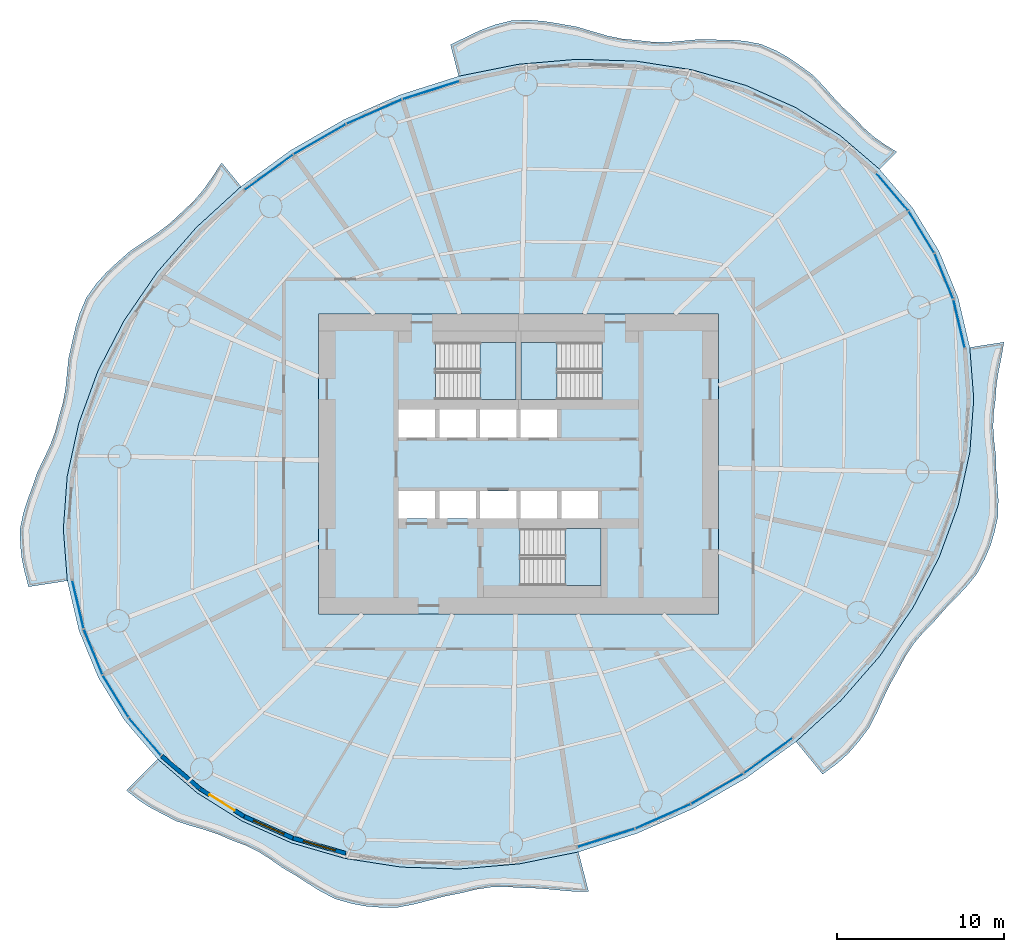
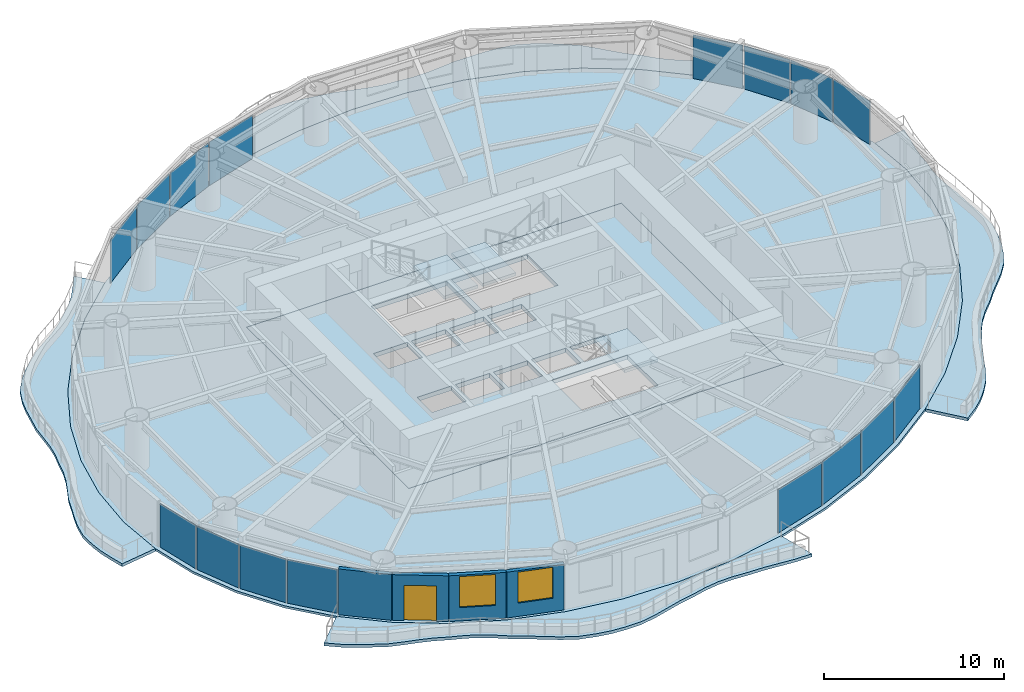
# One storey, part 7 of 14: 16 plates, 9 slabs, 4 walls, 2 windows, 1 door, 3 openings, 19 elements without a shape of their own.
"""IFC4 building model written with IfcOpenShell, lengths in metres."""

from ifc_helpers import new_model, si_unit, direction, frame, frame_2d, origin, origin_2d, place, context, subcontext, project, spatial, polyline, rectangle, outline, extrude, material, layer, layer_set, type_object, element, fill, aggregate, save


model = new_model("IFC4")

# Units and contexts
model_context = context("Model", 3, precision=1e-05, world=origin(), true_north=direction((0.0, 1.0)))
body_context = subcontext(model_context, "Body", "Model", "MODEL_VIEW")
ifc_project = project(units=[si_unit("LENGTHUNIT", "METRE"), si_unit("AREAUNIT", "SQUARE_METRE"), si_unit("VOLUMEUNIT", "CUBIC_METRE"), si_unit("PLANEANGLEUNIT", "RADIAN"), si_unit("MASSUNIT", "GRAM", prefix="KILO")], contexts=[model_context])

# Site, building, storey
site_placement = place(None, origin())
site = spatial("IfcSite", under=ifc_project, at=site_placement, CompositionType="ELEMENT")
building_placement = place(site_placement, origin())
building = spatial("IfcBuilding", under=site, at=building_placement, Name="Vermilion Reach Broadcast Tower", CompositionType="ELEMENT")
storey_placement = place(building_placement, frame((0.0, 0.0, 143.39990234375)))
storey = spatial("IfcBuildingStorey", under=building, at=storey_placement, Name="L33", CompositionType="ELEMENT", Elevation=143.39990234375)

# Slabs
ifc_material_1 = material(Name="Concrete C40/50", Category="concrete")
ifc_layer_1 = layer(ifc_material_1, 0.199951171875)
ifc_layer_set_1 = layer_set([ifc_layer_1], Name="Balcony slab 200")
slab_type_1 = type_object("IfcSlabType", Name="Balcony slab 200", PredefinedType="FLOOR", material=ifc_layer_set_1)
placement_1 = place(storey_placement, frame((0.0, 0.0, -0.199951171875)))
element("IfcSlab", 1, at=placement_1, inside=storey, type_object=slab_type_1, Name="Balcony slab L33 group 1", PredefinedType="FLOOR", context=body_context, shape_type="SweptSolid", body=[
    extrude(outline(polyline([(15.665283203125, 17.710205078125), (13.3056640625, 19.73388671875), (10.61572265625, 21.420166015625), (7.641357421875, 22.73974609375), (4.43359375, 23.67041015625), (1.04736328125, 24.19580078125), (-2.45947265625, 24.307373046875), (-6.02685546875, 24.003173828125), (-9.593994140625, 23.2880859375), (-10.08154296875, 25.176513671875), (-9.13818359375, 25.641845703125), (-8.29150390625, 26.045166015625), (-7.429443359375, 26.37255859375), (-6.401123046875, 26.630859375), (-5.35546875, 26.66357421875), (-4.45068359375, 26.587158203125), (-3.53955078125, 26.43701171875), (-2.511474609375, 26.257080078125), (-1.529296875, 25.96435546875), (-0.65966796875, 25.713623046875), (0.212158203125, 25.533447265625), (1.16357421875, 25.443359375), (2.091796875, 25.3388671875), (2.958251953125, 25.33642578125), (3.8359375, 25.40625), (4.839599609375, 25.501953125), (5.82763671875, 25.478759765625), (6.693603515625, 25.467041015625), (7.544921875, 25.404296875), (8.5458984375, 25.21826171875), (9.457275390625, 24.82666015625), (10.17041015625, 24.42822265625), (10.852294921875, 23.95947265625), (11.654296875, 23.373291015625), (12.334716796875, 22.668212890625), (12.88037109375, 22.04443359375), (13.43994140625, 21.4423828125), (14.1123046875, 20.830078125), (14.720458984375, 20.18994140625), (15.302490234375, 19.674560546875), (15.935791015625, 19.21923828125), (16.70166015625, 18.74462890625), (15.665283203125, 17.710205078125)])), origin(), (0.0, 0.0, 1.0), 0.199951171875),
])
element("IfcSlab", 2, at=placement_1, inside=storey, type_object=slab_type_1, Name="Balcony slab L33 group 2", PredefinedType="FLOOR", context=body_context, shape_type="SweptSolid", body=[
    extrude(outline(polyline([(-22.658447265625, 16.665771484375), (-25.34375, 14.211669921875), (-27.6982421875, 11.51416015625), (-29.681396484375, 8.619873046875), (-31.25927734375, 5.577880859375), (-32.405029296875, 2.440673828125), (-33.098876953125, -0.738525390625), (-33.329345703125, -3.90478515625), (-33.092041015625, -7.00439453125), (-35.42431640625, -7.365966796875), (-35.66455078125, -6.422119140625), (-35.825927734375, -5.655029296875), (-35.910888671875, -4.882080078125), (-35.931396484375, -3.909912109375), (-35.729248046875, -2.9345703125), (-35.48046875, -2.15673828125), (-35.193359375, -1.3818359375), (-34.88623046875, -0.479736328125), (-34.462158203125, 0.391845703125), (-34.111328125, 1.14794921875), (-33.82861328125, 1.918701171875), (-33.609619140625, 2.790283203125), (-33.351806640625, 3.67529296875), (-33.201904296875, 4.509521484375), (-33.1123046875, 5.36572265625), (-33.015625, 6.350341796875), (-32.793212890625, 7.3388671875), (-32.60009765625, 8.203857421875), (-32.35205078125, 9.040283203125), (-31.9541015625, 9.981201171875), (-31.3525390625, 10.828369140625), (-30.76171875, 11.48681640625), (-30.103759765625, 12.09912109375), (-29.333740234375, 12.781494140625), (-28.461181640625, 13.368408203125), (-27.685546875, 13.879638671875), (-26.9560546875, 14.4306640625), (-26.24658203125, 15.09423828125), (-25.52734375, 15.760498046875), (-24.931884765625, 16.457275390625), (-24.396484375, 17.219482421875), (-23.824951171875, 18.09228515625), (-22.658447265625, 16.665771484375)])), origin(), (0.0, 0.0, 1.0), 0.199951171875),
])
element("IfcSlab", 3, at=placement_1, inside=storey, type_object=slab_type_1, Name="Balcony slab L33 group 3", PredefinedType="FLOOR", context=body_context, shape_type="SweptSolid", body=[
    extrude(outline(polyline([(-27.665283203125, -17.710205078125), (-25.3056640625, -19.73388671875), (-22.61572265625, -21.420166015625), (-19.641357421875, -22.73974609375), (-16.43359375, -23.67041015625), (-13.04736328125, -24.19580078125), (-9.54052734375, -24.307373046875), (-5.97314453125, -24.003173828125), (-2.406005859375, -23.2880859375), (-1.79296875, -25.662841796875), (-2.861328125, -25.64404296875), (-3.806396484375, -25.557373046875), (-4.751220703125, -25.470947265625), (-5.76806640625, -25.441650390625), (-6.75439453125, -25.3759765625), (-7.650634765625, -25.400634765625), (-8.537841796875, -25.530517578125), (-9.501708984375, -25.764404296875), (-10.470458984375, -25.954345703125), (-11.35546875, -26.1865234375), (-12.240478515625, -26.4208984375), (-13.272705078125, -26.61474609375), (-14.28955078125, -26.61376953125), (-15.146484375, -26.549560546875), (-15.98876953125, -26.39013671875), (-16.9755859375, -26.11474609375), (-17.87841796875, -25.654052734375), (-18.6142578125, -25.193115234375), (-19.345458984375, -24.716796875), (-20.184326171875, -24.2275390625), (-20.951416015625, -23.6865234375), (-21.6484375, -23.251953125), (-22.37939453125, -22.893310546875), (-23.230712890625, -22.57666015625), (-24.05224609375, -22.217529296875), (-24.826904296875, -21.959228515625), (-25.621826171875, -21.73291015625), (-26.555419921875, -21.43212890625), (-27.40673828125, -20.989990234375), (-28.111328125, -20.61767578125), (-28.775390625, -20.1982421875), (-29.54638671875, -19.587890625), (-27.665283203125, -17.710205078125)])), origin(), (0.0, 0.0, 1.0), 0.199951171875),
])
element("IfcSlab", 4, at=placement_1, inside=storey, type_object=slab_type_1, Name="Balcony slab L33 group 4", PredefinedType="FLOOR", context=body_context, shape_type="SweptSolid", body=[
    extrude(outline(polyline([(10.658447265625, -16.665771484375), (13.34375, -14.211669921875), (15.6982421875, -11.51416015625), (17.681396484375, -8.619873046875), (19.25927734375, -5.577880859375), (20.405029296875, -2.440673828125), (21.098876953125, 0.738525390625), (21.329345703125, 3.90478515625), (21.092041015625, 7.00439453125), (23.14599609375, 7.32275390625), (22.982177734375, 6.369873046875), (22.81884765625, 5.577880859375), (22.69384765625, 4.788818359375), (22.635498046875, 3.907470703125), (22.51904296875, 3.0224609375), (22.492431640625, 2.228759765625), (22.544921875, 1.428955078125), (22.655517578125, 0.51318359375), (22.680908203125, -0.439453125), (22.74853515625, -1.286865234375), (22.804931640625, -2.1318359375), (22.785400390625, -3.1318359375), (22.56494140625, -4.118408203125), (22.3212890625, -4.91845703125), (21.9912109375, -5.686767578125), (21.526123046875, -6.574951171875), (20.875244140625, -7.38134765625), (20.2587890625, -8.026611328125), (19.63427734375, -8.66796875), (18.99072265625, -9.404052734375), (18.296875, -10.10498046875), (17.727294921875, -10.778076171875), (17.24072265625, -11.5078125), (16.78955078125, -12.35986328125), (16.296142578125, -13.224365234375), (15.8984375, -14.065185546875), (15.514404296875, -14.918212890625), (15.0263671875, -15.856201171875), (14.38623046875, -16.7001953125), (13.781982421875, -17.387451171875), (13.10546875, -17.9951171875), (12.25537109375, -18.6181640625), (10.658447265625, -16.665771484375)])), origin(), (0.0, 0.0, 1.0), 0.199951171875),
])
ifc_material_2 = material(Name="Concrete C40", Category="concrete")
ifc_layer_2 = layer(ifc_material_2, 0.300048828125)
ifc_layer_set_2 = layer_set([ifc_layer_2], Name="Core floor slab 300 mm Concrete C40")
slab_type_2 = type_object("IfcSlabType", Name="Core floor slab 300 mm Concrete C40", PredefinedType="FLOOR", material=ifc_layer_set_2)
slab_5_placement = place(storey_placement, frame((0.0, 0.0, -0.2998046875)))
element("IfcSlab", 5, at=slab_5_placement, inside=storey, type_object=slab_type_2, Name="L33 core floor", PredefinedType="FLOOR", context=body_context, shape_type="SweptSolid", body=[
    extrude(outline(polyline([(-18.0, -9.0), (6.0, -9.0), (6.0, 9.0), (-18.0, 9.0), (-18.0, -9.0)]), holes=[polyline([(-13.199951171875, 1.60009765625), (-11.00830078125, 1.60009765625), (-11.00830078125, 3.280029296875), (-13.199951171875, 3.280029296875), (-13.199951171875, 1.60009765625)]), polyline([(-10.75830078125, 1.60009765625), (-8.566650390625, 1.60009765625), (-8.566650390625, 3.280029296875), (-10.75830078125, 3.280029296875), (-10.75830078125, 1.60009765625)]), polyline([(-8.316650390625, 1.60009765625), (-6.125, 1.60009765625), (-6.125, 3.280029296875), (-8.316650390625, 3.280029296875), (-8.316650390625, 1.60009765625)]), polyline([(-5.875, 1.60009765625), (-3.683349609375, 1.60009765625), (-3.683349609375, 3.280029296875), (-5.875, 3.280029296875), (-5.875, 1.60009765625)]), polyline([(-13.199951171875, -3.280029296875), (-11.00830078125, -3.280029296875), (-11.00830078125, -1.60009765625), (-13.199951171875, -1.60009765625), (-13.199951171875, -3.280029296875)]), polyline([(-10.75830078125, -3.280029296875), (-8.566650390625, -3.280029296875), (-8.566650390625, -1.60009765625), (-10.75830078125, -1.60009765625), (-10.75830078125, -3.280029296875)]), polyline([(-8.316650390625, -3.280029296875), (-6.125, -3.280029296875), (-6.125, -1.60009765625), (-8.316650390625, -1.60009765625), (-8.316650390625, -3.280029296875)]), polyline([(-5.875, -3.280029296875), (-3.683349609375, -3.280029296875), (-3.683349609375, -1.60009765625), (-5.875, -1.60009765625), (-5.875, -3.280029296875)]), polyline([(-3.433349609375, -3.280029296875), (-1.24169921875, -3.280029296875), (-1.24169921875, -1.60009765625), (-3.433349609375, -1.60009765625), (-3.433349609375, -3.280029296875)]), polyline([(-10.999267578125, 3.8798828125), (-6.14990234375, 3.8798828125), (-6.14990234375, 7.300048828125), (-10.999267578125, 7.300048828125), (-10.999267578125, 3.8798828125)]), polyline([(-1.000732421875, 7.300048828125), (-5.85009765625, 7.300048828125), (-5.85009765625, 3.8798828125), (-1.000732421875, 3.8798828125), (-1.000732421875, 7.300048828125)]), polyline([(-5.8994140625, -7.300048828125), (-1.050048828125, -7.300048828125), (-1.050048828125, -3.8798828125), (-5.8994140625, -3.8798828125), (-5.8994140625, -7.300048828125)])]), origin(), (0.0, 0.0, 1.0), 0.2998046875),
])

# Stair, slab
ifc_material_3 = material(Name="Concrete C40", Category="concrete")
stair_type = type_object("IfcStairType", Name="Exit stair RC 22 risers 164 mm", PredefinedType="HALF_TURN_STAIR", material=ifc_material_3)
placement_2 = place(storey_placement, origin())
stair_1 = element("IfcStair", 6, at=placement_2, inside=storey, type_object=stair_type, Name="L33 Exit stair ST1", PredefinedType="HALF_TURN_STAIR")
ifc_material_4 = material(Name="Concrete C40", Category="concrete")
ifc_layer_3 = layer(ifc_material_4, 0.199951171875)
ifc_layer_set_3 = layer_set([ifc_layer_3], Name="Exit stair landing Concrete C40")
slab_type_3 = type_object("IfcSlabType", Name="Exit stair landing Concrete C40", PredefinedType="LANDING", material=ifc_layer_set_3)
placement_3 = place(storey_placement, frame((0.0, 0.0, 1.60009765625)))
slab_6 = element("IfcSlab", 7, at=placement_3, type_object=slab_type_3, Name="ST1 landing 1", PredefinedType="LANDING", context=body_context, shape_type="SweptSolid", body=[
    extrude(outline(polyline([(-8.300048828125, 3.8798828125), (-6.14990234375, 3.8798828125), (-6.14990234375, 7.300048828125), (-8.300048828125, 7.300048828125), (-8.300048828125, 3.8798828125)])), origin(), (0.0, 0.0, 1.0), 0.199951171875),
])
aggregate(stair_1, [slab_6])

stair_2 = element("IfcStair", 8, at=placement_2, inside=storey, type_object=stair_type, Name="L33 Exit stair ST2", PredefinedType="HALF_TURN_STAIR")
slab_7 = element("IfcSlab", 9, at=placement_3, type_object=slab_type_3, Name="ST2 landing 1", PredefinedType="LANDING", context=body_context, shape_type="SweptSolid", body=[
    extrude(outline(polyline([(-3.699951171875, 7.300048828125), (-5.85009765625, 7.300048828125), (-5.85009765625, 3.8798828125), (-3.699951171875, 3.8798828125), (-3.699951171875, 7.300048828125)])), origin(), (0.0, 0.0, 1.0), 0.199951171875),
])
aggregate(stair_2, [slab_7])

stair_3 = element("IfcStair", 10, at=placement_2, inside=storey, type_object=stair_type, Name="L33 Exit stair ST3", PredefinedType="HALF_TURN_STAIR")
slab_8 = element("IfcSlab", 11, at=placement_3, type_object=slab_type_3, Name="ST3 landing 1", PredefinedType="LANDING", context=body_context, shape_type="SweptSolid", body=[
    extrude(outline(polyline([(-3.199951171875, -7.300048828125), (-1.050048828125, -7.300048828125), (-1.050048828125, -3.8798828125), (-3.199951171875, -3.8798828125), (-3.199951171875, -7.300048828125)])), origin(), (0.0, 0.0, 1.0), 0.199951171875),
])
aggregate(stair_3, [slab_8])

# Slab
ifc_material_5 = material(Name="Concrete C40", Category="concrete")
ifc_layer_4 = layer(ifc_material_5, 0.14990234375)
ifc_layer_set_4 = layer_set([ifc_layer_4], Name="Floor slab Concrete C40 composite 150")
slab_type_4 = type_object("IfcSlabType", Name="Floor slab Concrete C40 composite 150", PredefinedType="FLOOR", material=ifc_layer_set_4)
slab_9_placement = place(storey_placement, frame((0.0, 0.0, -0.14990234375)))
element("IfcSlab", 12, at=slab_9_placement, inside=storey, type_object=slab_type_4, Name="Floor slab L33", PredefinedType="FLOOR", context=body_context, shape_type="SweptSolid", body=[
    extrude(outline(polyline([(19.238525390625, 12.793212890625), (17.654296875, 15.38330078125), (15.665283203125, 17.710205078125), (13.3056640625, 19.73388671875), (10.61572265625, 21.420166015625), (7.641357421875, 22.73974609375), (4.43359375, 23.67041015625), (1.04736328125, 24.19580078125), (-2.45947265625, 24.307373046875), (-6.02685546875, 24.003173828125), (-9.593994140625, 23.2880859375), (-13.099365234375, 22.174560546875), (-16.4833984375, 20.681640625), (-19.68798828125, 18.8349609375), (-22.658447265625, 16.665771484375), (-25.34375, 14.211669921875), (-27.6982421875, 11.51416015625), (-29.681396484375, 8.619873046875), (-31.25927734375, 5.577880859375), (-32.405029296875, 2.440673828125), (-33.098876953125, -0.738525390625), (-33.329345703125, -3.90478515625), (-33.092041015625, -7.00439453125), (-32.39111328125, -9.984375), (-31.238525390625, -12.793212890625), (-29.654296875, -15.38330078125), (-27.665283203125, -17.710205078125), (-25.3056640625, -19.73388671875), (-22.61572265625, -21.420166015625), (-19.641357421875, -22.73974609375), (-16.43359375, -23.67041015625), (-13.04736328125, -24.19580078125), (-9.54052734375, -24.307373046875), (-5.97314453125, -24.003173828125), (-2.406005859375, -23.2880859375), (1.099365234375, -22.174560546875), (4.4833984375, -20.681640625), (7.68798828125, -18.8349609375), (10.658447265625, -16.665771484375), (13.34375, -14.211669921875), (15.6982421875, -11.51416015625), (17.681396484375, -8.619873046875), (19.25927734375, -5.577880859375), (20.405029296875, -2.440673828125), (21.098876953125, 0.738525390625), (21.329345703125, 3.90478515625), (21.092041015625, 7.00439453125), (20.39111328125, 9.984375), (19.238525390625, 12.793212890625)]), holes=[polyline([(-18.0, -9.0), (6.0, -9.0), (6.0, 9.0), (-18.0, 9.0), (-18.0, -9.0)])]), origin(), (0.0, 0.0, 1.0), 0.14990234375),
])

# Curtain wall, plate
ifc_material_6 = material(Name="Low-e laminated clear glass in aluminium frame", Category="aluminium")
curtain_wall_type = type_object("IfcCurtainWallType", Name="Slot curtain wall", PredefinedType="NOTDEFINED", material=ifc_material_6)
curtain_wall_1 = element("IfcCurtainWall", 13, at=placement_2, inside=storey, type_object=curtain_wall_type, Name="Slot curtain wall L33 46", PredefinedType="NOTDEFINED")
ifc_material_7 = material(Name="Low-e laminated clear glass", Category="glass")
ifc_layer_5 = layer(ifc_material_7, 0.028076171875)
ifc_layer_set_5 = layer_set([ifc_layer_5], Name="Slot glass panel")
plate_type = type_object("IfcPlateType", Name="Slot glass panel", PredefinedType="CURTAIN_PANEL", material=ifc_layer_set_5)
plate_1_placement = place(storey_placement, frame((20.450439453125, 8.42578125, 0.0), z_axis=(0.0, 0.0, 1.0), x_axis=(-0.228953492129, 0.973437362362, 0.0)))
plate_1 = element("IfcPlate", 14, at=plate_1_placement, type_object=plate_type, Name="Slot glass panel L33 46", PredefinedType="CURTAIN_PANEL", context=body_context, shape_type="SweptSolid", body=[
    extrude(rectangle(XDim=2.93408203125, YDim=0.028076171875, at=origin_2d()), origin(), (0.0, 0.0, 1.0), 2.949951171875),
])
aggregate(curtain_wall_1, [plate_1])

curtain_wall_2 = element("IfcCurtainWall", 15, at=placement_2, inside=storey, type_object=curtain_wall_type, Name="Slot curtain wall L33 47", PredefinedType="NOTDEFINED")
plate_2_placement = place(storey_placement, frame((19.5380859375, 11.275146484375, 0.0), z_axis=(0.0, 0.0, 1.0), x_axis=(-0.379565315987, 0.925164942537, 0.0)))
plate_2 = element("IfcPlate", 16, at=plate_2_placement, type_object=plate_type, Name="Slot glass panel L33 47", PredefinedType="CURTAIN_PANEL", context=body_context, shape_type="SweptSolid", body=[
    extrude(rectangle(XDim=2.908447265625, YDim=0.028076171875, at=origin_2d()), origin(), (0.0, 0.0, 1.0), 2.949951171875),
])
aggregate(curtain_wall_2, [plate_2])

curtain_wall_3 = element("IfcCurtainWall", 17, at=placement_2, inside=storey, type_object=curtain_wall_type, Name="Slot curtain wall L33 00", PredefinedType="NOTDEFINED")
plate_3_placement = place(storey_placement, frame((18.19140625, 13.93212890625, 0.0), z_axis=(0.0, 0.0, 1.0), x_axis=(-0.521802561962, 0.853066284839, 0.0)))
plate_3 = element("IfcPlate", 18, at=plate_3_placement, type_object=plate_type, Name="Slot glass panel L33 00", PredefinedType="CURTAIN_PANEL", context=body_context, shape_type="SweptSolid", body=[
    extrude(rectangle(XDim=2.908447265625, YDim=0.028076171875, at=origin_2d()), origin(), (0.0, 0.0, 1.0), 2.949951171875),
])
aggregate(curtain_wall_3, [plate_3])

curtain_wall_4 = element("IfcCurtainWall", 19, at=placement_2, inside=storey, type_object=curtain_wall_type, Name="Slot curtain wall L33 01", PredefinedType="NOTDEFINED")
plate_4_placement = place(storey_placement, frame((16.432373046875, 16.3525390625, 0.0), z_axis=(0.0, 0.0, 1.0), x_axis=(-0.649773441281, 0.760127933315, 0.0)))
plate_4 = element("IfcPlate", 20, at=plate_4_placement, type_object=plate_type, Name="Slot glass panel L33 01", PredefinedType="CURTAIN_PANEL", context=body_context, shape_type="SweptSolid", body=[
    extrude(rectangle(XDim=2.93408203125, YDim=0.028076171875, at=origin_2d()), origin(), (0.0, 0.0, 1.0), 2.949951171875),
])
aggregate(curtain_wall_4, [plate_4])

curtain_wall_5 = element("IfcCurtainWall", 21, at=placement_2, inside=storey, type_object=curtain_wall_type, Name="Slot curtain wall L33 10", PredefinedType="NOTDEFINED")
plate_5_placement = place(storey_placement, frame((-11.256103515625, 22.44580078125, 0.0), z_axis=(0.0, 0.0, 1.0), x_axis=(-0.953072129189, -0.302743317949, 0.0)))
plate_5 = element("IfcPlate", 22, at=plate_5_placement, type_object=plate_type, Name="Slot glass panel L33 10", PredefinedType="CURTAIN_PANEL", context=body_context, shape_type="SweptSolid", body=[
    extrude(rectangle(XDim=3.5654296875, YDim=0.028076171875, at=origin_2d()), origin(), (0.0, 0.0, 1.0), 2.949951171875),
])
aggregate(curtain_wall_5, [plate_5])

curtain_wall_6 = element("IfcCurtainWall", 23, at=placement_2, inside=storey, type_object=curtain_wall_type, Name="Slot curtain wall L33 11", PredefinedType="NOTDEFINED")
plate_6_placement = place(storey_placement, frame((-14.67041015625, 21.154052734375, 0.0), z_axis=(0.0, 0.0, 1.0), x_axis=(-0.914919638286, -0.403636043334, 0.0)))
plate_6 = element("IfcPlate", 24, at=plate_6_placement, type_object=plate_type, Name="Slot glass panel L33 11", PredefinedType="CURTAIN_PANEL", context=body_context, shape_type="SweptSolid", body=[
    extrude(rectangle(XDim=3.58642578125, YDim=0.028076171875, at=origin_2d()), origin(), (0.0, 0.0, 1.0), 2.949951171875),
])
aggregate(curtain_wall_6, [plate_6])

curtain_wall_7 = element("IfcCurtainWall", 25, at=placement_2, inside=storey, type_object=curtain_wall_type, Name="Slot curtain wall L33 12", PredefinedType="NOTDEFINED")
plate_7_placement = place(storey_placement, frame((-17.93603515625, 19.498779296875, 0.0), z_axis=(0.0, 0.0, 1.0), x_axis=(-0.866423873375, -0.499309194434, 0.0)))
plate_7 = element("IfcPlate", 26, at=plate_7_placement, type_object=plate_type, Name="Slot glass panel L33 12", PredefinedType="CURTAIN_PANEL", context=body_context, shape_type="SweptSolid", body=[
    extrude(rectangle(XDim=3.58642578125, YDim=0.028076171875, at=origin_2d()), origin(), (0.0, 0.0, 1.0), 2.949951171875),
])
aggregate(curtain_wall_7, [plate_7])

curtain_wall_8 = element("IfcCurtainWall", 27, at=placement_2, inside=storey, type_object=curtain_wall_type, Name="Slot curtain wall L33 13", PredefinedType="NOTDEFINED")
plate_8_placement = place(storey_placement, frame((-20.996337890625, 17.508544921875, 0.0), z_axis=(0.0, 0.0, 1.0), x_axis=(-0.807603578403, -0.589725749948, 0.0)))
plate_8 = element("IfcPlate", 28, at=plate_8_placement, type_object=plate_type, Name="Slot glass panel L33 13", PredefinedType="CURTAIN_PANEL", context=body_context, shape_type="SweptSolid", body=[
    extrude(rectangle(XDim=3.5654296875, YDim=0.028076171875, at=origin_2d()), origin(), (0.0, 0.0, 1.0), 2.949951171875),
])
aggregate(curtain_wall_8, [plate_8])

curtain_wall_9 = element("IfcCurtainWall", 29, at=placement_2, inside=storey, type_object=curtain_wall_type, Name="Slot curtain wall L33 22", PredefinedType="NOTDEFINED")
plate_9_placement = place(storey_placement, frame((-32.450439453125, -8.42578125, 0.0), z_axis=(0.0, 0.0, 1.0), x_axis=(0.228953492129, -0.973437362362, 0.0)))
plate_9 = element("IfcPlate", 30, at=plate_9_placement, type_object=plate_type, Name="Slot glass panel L33 22", PredefinedType="CURTAIN_PANEL", context=body_context, shape_type="SweptSolid", body=[
    extrude(rectangle(XDim=2.93408203125, YDim=0.028076171875, at=origin_2d()), origin(), (0.0, 0.0, 1.0), 2.949951171875),
])
aggregate(curtain_wall_9, [plate_9])

curtain_wall_10 = element("IfcCurtainWall", 31, at=placement_2, inside=storey, type_object=curtain_wall_type, Name="Slot curtain wall L33 23", PredefinedType="NOTDEFINED")
plate_10_placement = place(storey_placement, frame((-31.5380859375, -11.275146484375, 0.0), z_axis=(0.0, 0.0, 1.0), x_axis=(0.379565315987, -0.925164942537, 0.0)))
plate_10 = element("IfcPlate", 32, at=plate_10_placement, type_object=plate_type, Name="Slot glass panel L33 23", PredefinedType="CURTAIN_PANEL", context=body_context, shape_type="SweptSolid", body=[
    extrude(rectangle(XDim=2.908447265625, YDim=0.028076171875, at=origin_2d()), origin(), (0.0, 0.0, 1.0), 2.949951171875),
])
aggregate(curtain_wall_10, [plate_10])

curtain_wall_11 = element("IfcCurtainWall", 33, at=placement_2, inside=storey, type_object=curtain_wall_type, Name="Slot curtain wall L33 24", PredefinedType="NOTDEFINED")
plate_11_placement = place(storey_placement, frame((-30.19140625, -13.93212890625, 0.0), z_axis=(0.0, 0.0, 1.0), x_axis=(0.521802561962, -0.853066284839, 0.0)))
plate_11 = element("IfcPlate", 34, at=plate_11_placement, type_object=plate_type, Name="Slot glass panel L33 24", PredefinedType="CURTAIN_PANEL", context=body_context, shape_type="SweptSolid", body=[
    extrude(rectangle(XDim=2.908447265625, YDim=0.028076171875, at=origin_2d()), origin(), (0.0, 0.0, 1.0), 2.949951171875),
])
aggregate(curtain_wall_11, [plate_11])

curtain_wall_12 = element("IfcCurtainWall", 35, at=placement_2, inside=storey, type_object=curtain_wall_type, Name="Slot curtain wall L33 25", PredefinedType="NOTDEFINED")
plate_12_placement = place(storey_placement, frame((-28.432373046875, -16.3525390625, 0.0), z_axis=(0.0, 0.0, 1.0), x_axis=(0.649773441281, -0.760127933315, 0.0)))
plate_12 = element("IfcPlate", 36, at=plate_12_placement, type_object=plate_type, Name="Slot glass panel L33 25", PredefinedType="CURTAIN_PANEL", context=body_context, shape_type="SweptSolid", body=[
    extrude(rectangle(XDim=2.93408203125, YDim=0.028076171875, at=origin_2d()), origin(), (0.0, 0.0, 1.0), 2.949951171875),
])
aggregate(curtain_wall_12, [plate_12])

curtain_wall_13 = element("IfcCurtainWall", 37, at=placement_2, inside=storey, type_object=curtain_wall_type, Name="Slot curtain wall L33 34", PredefinedType="NOTDEFINED")
plate_13_placement = place(storey_placement, frame((-0.743896484375, -22.44580078125, 0.0), z_axis=(0.0, 0.0, 1.0), x_axis=(0.953072129189, 0.302743317949, 0.0)))
plate_13 = element("IfcPlate", 38, at=plate_13_placement, type_object=plate_type, Name="Slot glass panel L33 34", PredefinedType="CURTAIN_PANEL", context=body_context, shape_type="SweptSolid", body=[
    extrude(rectangle(XDim=3.5654296875, YDim=0.028076171875, at=origin_2d()), origin(), (0.0, 0.0, 1.0), 2.949951171875),
])
aggregate(curtain_wall_13, [plate_13])

curtain_wall_14 = element("IfcCurtainWall", 39, at=placement_2, inside=storey, type_object=curtain_wall_type, Name="Slot curtain wall L33 35", PredefinedType="NOTDEFINED")
plate_14_placement = place(storey_placement, frame((2.67041015625, -21.154052734375, 0.0), z_axis=(0.0, 0.0, 1.0), x_axis=(0.914919638286, 0.403636043334, 0.0)))
plate_14 = element("IfcPlate", 40, at=plate_14_placement, type_object=plate_type, Name="Slot glass panel L33 35", PredefinedType="CURTAIN_PANEL", context=body_context, shape_type="SweptSolid", body=[
    extrude(rectangle(XDim=3.58642578125, YDim=0.028076171875, at=origin_2d()), origin(), (0.0, 0.0, 1.0), 2.949951171875),
])
aggregate(curtain_wall_14, [plate_14])

curtain_wall_15 = element("IfcCurtainWall", 41, at=placement_2, inside=storey, type_object=curtain_wall_type, Name="Slot curtain wall L33 36", PredefinedType="NOTDEFINED")
plate_15_placement = place(storey_placement, frame((5.93603515625, -19.498779296875, 0.0), z_axis=(0.0, 0.0, 1.0), x_axis=(0.866423873375, 0.499309194434, 0.0)))
plate_15 = element("IfcPlate", 42, at=plate_15_placement, type_object=plate_type, Name="Slot glass panel L33 36", PredefinedType="CURTAIN_PANEL", context=body_context, shape_type="SweptSolid", body=[
    extrude(rectangle(XDim=3.58642578125, YDim=0.028076171875, at=origin_2d()), origin(), (0.0, 0.0, 1.0), 2.949951171875),
])
aggregate(curtain_wall_15, [plate_15])

curtain_wall_16 = element("IfcCurtainWall", 43, at=placement_2, inside=storey, type_object=curtain_wall_type, Name="Slot curtain wall L33 37", PredefinedType="NOTDEFINED")
plate_16_placement = place(storey_placement, frame((8.996337890625, -17.508544921875, 0.0), z_axis=(0.0, 0.0, 1.0), x_axis=(0.807603578403, 0.589725749948, 0.0)))
plate_16 = element("IfcPlate", 44, at=plate_16_placement, type_object=plate_type, Name="Slot glass panel L33 37", PredefinedType="CURTAIN_PANEL", context=body_context, shape_type="SweptSolid", body=[
    extrude(rectangle(XDim=3.5654296875, YDim=0.028076171875, at=origin_2d()), origin(), (0.0, 0.0, 1.0), 2.949951171875),
])
aggregate(curtain_wall_16, [plate_16])

# Wall
ifc_material_8 = material(Name="Terracotta rainscreen cladding", Category="masonry")
ifc_layer_6 = layer(ifc_material_8, 0.25)
ifc_layer_set_6 = layer_set([ifc_layer_6], Name="Terracotta rainscreen wall 250")
wall_type = type_object("IfcWallType", Name="Terracotta rainscreen wall 250", PredefinedType="SOLIDWALL", material=ifc_layer_set_6)
wall_1_placement = place(storey_placement, frame((-27.411376953125, -17.533935546875, 0.0), z_axis=(0.0, 0.0, 1.0), x_axis=(0.75908968864, -0.650986055611, 0.0)))
element("IfcWall", 45, at=wall_1_placement, inside=storey, type_object=wall_type, Name="External wall L33 26", PredefinedType="SOLIDWALL", context=body_context, shape_type="SweptSolid", body=[
    extrude(rectangle(XDim=2.99462890625, YDim=0.25, at=frame_2d((1.497314453125, 0.0))), origin(), (0.0, 0.0, 1.0), 3.10009765625),
])

# Wall, opening, door
wall_2_placement = place(storey_placement, frame((-25.11669921875, -19.499267578125, 0.0), z_axis=(0.0, 0.0, 1.0), x_axis=(0.847326168921, -0.531072841954, 0.0)))
wall_2 = element("IfcWall", 46, at=wall_2_placement, inside=storey, type_object=wall_type, Name="External wall L33 27", PredefinedType="SOLIDWALL", context=body_context, shape_type="SweptSolid", body=[
    extrude(rectangle(XDim=3.10498046875, YDim=0.25, at=frame_2d((1.552490234375, 0.0))), origin(), (0.0, 0.0, 1.0), 3.10009765625),
])
opening_1_placement = place(wall_2_placement, frame((0.652099609375, 0.0, 0.0)))
opening_1 = element("IfcOpeningElement", 47, at=opening_1_placement, cuts=wall_2, Name="Opening D70", PredefinedType="OPENING", context=body_context, shape_type="SweptSolid", body=[
    extrude(rectangle(XDim=1.800048828125, YDim=2.39990234375, at=frame_2d((0.89990234375, 1.199951171875))), frame((0.0, 0.135009765625, 0.0), z_axis=(0.0, -1.0, 0.0), x_axis=(1.0, 0.0, 0.0)), (0.0, 0.0, 1.0), 0.27001953125),
])
ifc_material_9 = material(Name="Low-e laminated clear glass in aluminium frame", Category="aluminium")
door_type = type_object("IfcDoorType", Name="Balcony sliding door 1800 x 2400", OperationType="DOUBLE_DOOR_SLIDING", PredefinedType="DOOR", material=ifc_material_9)
door_placement = place(opening_1_placement, origin())
door = element("IfcDoor", 48, at=door_placement, inside=storey, type_object=door_type, Name="Balcony door L33 run 07", OperationType="DOUBLE_DOOR_SLIDING", OverallHeight=2.39990234375, OverallWidth=1.800048828125, PredefinedType="DOOR", context=body_context, shape_type="SweptSolid", body=[
    extrude(rectangle(XDim=1.800048828125, YDim=2.39990234375, at=frame_2d((0.89990234375, 1.199951171875))), frame((0.0, 0.02490234375, 0.0), z_axis=(0.0, -1.0, 0.0), x_axis=(1.0, 0.0, 0.0)), (0.0, 0.0, 1.0), 0.050048828125),
])
fill(opening_1, door)

# Wall, opening, window
wall_3_placement = place(storey_placement, frame((-22.463134765625, -21.160400390625, 0.0), z_axis=(0.0, 0.0, 1.0), x_axis=(0.91407040375, -0.405555541188, 0.0)))
wall_3 = element("IfcWall", 49, at=wall_3_placement, inside=storey, type_object=wall_type, Name="External wall L33 28", PredefinedType="SOLIDWALL", context=body_context, shape_type="SweptSolid", body=[
    extrude(rectangle(XDim=3.18701171875, YDim=0.25, at=frame_2d((1.593505859375, 0.0))), origin(), (0.0, 0.0, 1.0), 3.10009765625),
])
opening_2_placement = place(wall_3_placement, frame((0.593505859375, 0.0, 0.89990234375)))
opening_2 = element("IfcOpeningElement", 50, at=opening_2_placement, cuts=wall_3, Name="Opening W03", PredefinedType="OPENING", context=body_context, shape_type="SweptSolid", body=[
    extrude(rectangle(XDim=2.0, YDim=2.10009765625, at=frame_2d((1.0, 1.050048828125))), frame((0.0, 0.135009765625, 0.0), z_axis=(0.0, -1.0, 0.0), x_axis=(1.0, 0.0, 0.0)), (0.0, 0.0, 1.0), 0.27001953125),
])
ifc_material_10 = material(Name="Low-e laminated clear glass in aluminium frame", Category="aluminium")
window_type = type_object("IfcWindowType", Name="Punched window 2000 x 2100 sill 900", PartitioningType="SINGLE_PANEL", PredefinedType="WINDOW", material=ifc_material_10)
window_1_placement = place(opening_2_placement, origin())
window_1 = element("IfcWindow", 51, at=window_1_placement, inside=storey, type_object=window_type, Name="Window L33 28", OverallHeight=2.10009765625, OverallWidth=2.0, PartitioningType="SINGLE_PANEL", PredefinedType="WINDOW", context=body_context, shape_type="SweptSolid", body=[
    extrude(rectangle(XDim=2.0, YDim=2.10009765625, at=frame_2d((1.0, 1.050048828125))), frame((0.0, 0.030029296875, 0.0), z_axis=(0.0, -1.0, 0.0), x_axis=(1.0, 0.0, 0.0)), (0.0, 0.0, 1.0), 0.06005859375),
])
fill(opening_2, window_1)

wall_4_placement = place(storey_placement, frame((-19.526611328125, -22.461181640625, 0.0), z_axis=(0.0, 0.0, 1.0), x_axis=(0.960393845313, -0.278646123041, 0.0)))
wall_4 = element("IfcWall", 52, at=wall_4_placement, inside=storey, type_object=wall_type, Name="External wall L33 29", PredefinedType="SOLIDWALL", context=body_context, shape_type="SweptSolid", body=[
    extrude(rectangle(XDim=3.27587890625, YDim=0.25, at=frame_2d((1.637939453125, 0.0))), origin(), (0.0, 0.0, 1.0), 3.10009765625),
])
opening_3_placement = place(wall_4_placement, frame((0.637939453125, 0.0, 0.89990234375)))
opening_3 = element("IfcOpeningElement", 53, at=opening_3_placement, cuts=wall_4, Name="Opening W03", PredefinedType="OPENING", context=body_context, shape_type="SweptSolid", body=[
    extrude(rectangle(XDim=2.0, YDim=2.10009765625, at=frame_2d((1.0, 1.050048828125))), frame((0.0, 0.135009765625, 0.0), z_axis=(0.0, -1.0, 0.0), x_axis=(1.0, 0.0, 0.0)), (0.0, 0.0, 1.0), 0.27001953125),
])
window_2_placement = place(opening_3_placement, origin())
window_2 = element("IfcWindow", 54, at=window_2_placement, inside=storey, type_object=window_type, Name="Window L33 29", OverallHeight=2.10009765625, OverallWidth=2.0, PartitioningType="SINGLE_PANEL", PredefinedType="WINDOW", context=body_context, shape_type="SweptSolid", body=[
    extrude(rectangle(XDim=2.0, YDim=2.10009765625, at=frame_2d((1.0, 1.050048828125))), frame((0.0, 0.030029296875, 0.0), z_axis=(0.0, -1.0, 0.0), x_axis=(1.0, 0.0, 0.0)), (0.0, 0.0, 1.0), 0.06005859375),
])
fill(opening_3, window_2)

save(model, "model.ifc")
